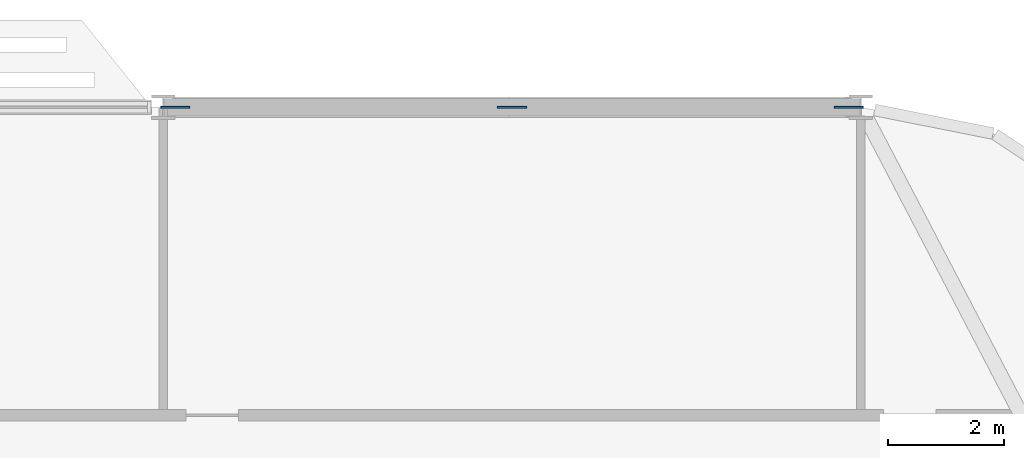
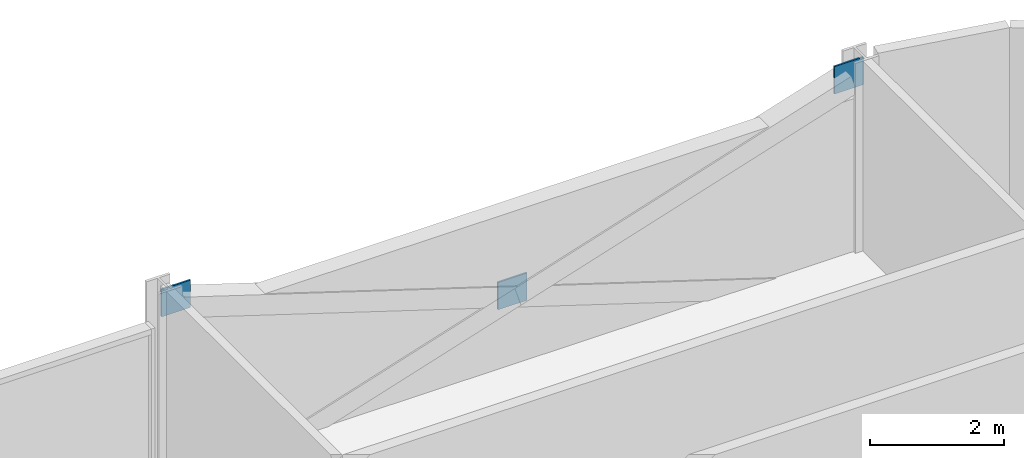
# One storey, part 21 of 27: 3 discrete accessories.
"""IFC4 building model written with IfcOpenShell, lengths in metres."""

from ifc_helpers import new_model, si_unit, direction, frame, origin, origin_2d, place, context, subcontext, project, spatial, rectangle, extrude, material, layer, layer_set, type_object, element, save


model = new_model("IFC4")

# Units and contexts
model_context = context("Model", 3, precision=1e-05, world=origin(), true_north=direction((0.0, 1.0)))
body_context = subcontext(model_context, "Body", "Model", "MODEL_VIEW")
ifc_project = project(units=[si_unit("LENGTHUNIT", "METRE"), si_unit("AREAUNIT", "SQUARE_METRE"), si_unit("VOLUMEUNIT", "CUBIC_METRE"), si_unit("PLANEANGLEUNIT", "RADIAN"), si_unit("MASSUNIT", "GRAM", prefix="KILO")], contexts=[model_context])

# Site, building, storey
site_placement = place(None, origin())
site = spatial("IfcSite", under=ifc_project, at=site_placement, CompositionType="ELEMENT")
building_placement = place(site_placement, origin())
building = spatial("IfcBuilding", under=site, at=building_placement, Name="Mahtab Terrace Research Tower", CompositionType="ELEMENT")
storey_placement = place(building_placement, frame((0.0, 0.0, 170.60009765625)))
storey = spatial("IfcBuildingStorey", under=building, at=storey_placement, Name="L40", CompositionType="ELEMENT", Elevation=170.60009765625)

# Discrete accessories
ifc_material = material(Name="Steel ASTM A992 Gr 50", Category="steel")
ifc_layer = layer(ifc_material, 0.030029296875)
ifc_layer_set = layer_set([ifc_layer], Name="Gusset plate 500x500x30")
discrete_accessory_type = type_object("IfcDiscreteAccessoryType", Name="Gusset plate 500x500x30", PredefinedType="USERDEFINED", material=ifc_layer_set)
for number, where, z_axis, x_axis, name in (
    (1, (30.203125, 23.0, 2.870849609375), (0.0, 0.0, 1.0), (1.0, 0.0, 0.0), "Gusset plate"),
    (2, (36.0, 23.0, 0.970703125), (0.0, 0.0, 1.0), (1.0, 0.0, 0.0), "Gusset plate"),
    (3, (41.796875, 23.0, 2.870849609375), (0.0, 0.0, 1.0), (1.0, 0.0, 0.0), "Gusset plate"),
):
    element("IfcDiscreteAccessory", number, at=place(storey_placement, frame(where, z_axis=z_axis, x_axis=x_axis)), inside=storey, type_object=discrete_accessory_type, Name=name, ObjectType="GUSSET PLATE", PredefinedType="USERDEFINED", context=body_context, shape_type="SweptSolid", body=[
        extrude(rectangle(XDim=0.5, YDim=0.030029296875, at=origin_2d()), origin(), (0.0, 0.0, 1.0), 0.5),
    ])

save(model, "model.ifc")
